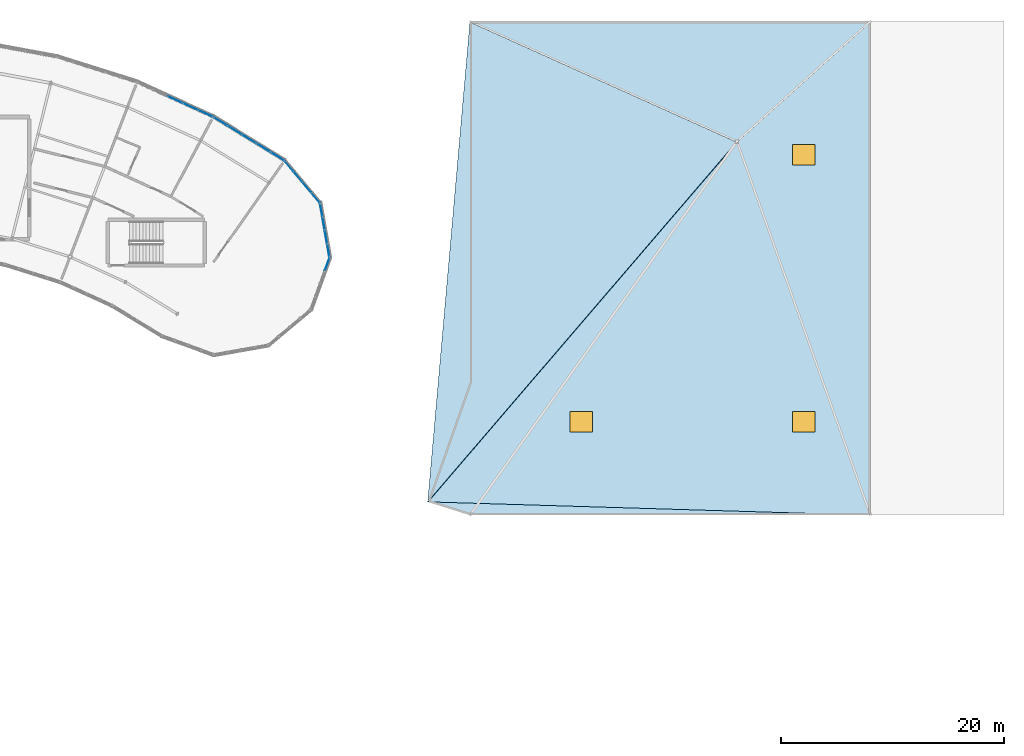
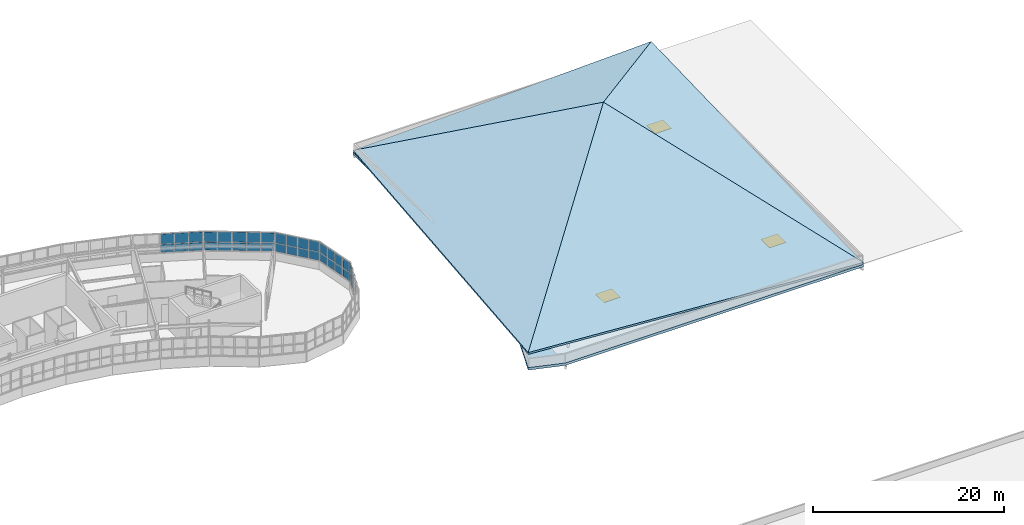
# One storey, part 55 of 79: 34 plates, 5 slabs, 3 windows, 3 openings, 5 elements without a shape of their own.
"""IFC4 building model written with IfcOpenShell, lengths in metres."""

from ifc_helpers import new_model, si_unit, direction, frame, origin, origin_2d, place, context, subcontext, project, spatial, polyline, rectangle, outline, extrude, material, layer, layer_set, type_object, element, fill, aggregate, save


model = new_model("IFC4")

# Units and contexts
model_context = context("Model", 3, precision=1e-05, world=origin(), true_north=direction((0.0, 1.0)))
body_context = subcontext(model_context, "Body", "Model", "MODEL_VIEW")
ifc_project = project(units=[si_unit("LENGTHUNIT", "METRE"), si_unit("AREAUNIT", "SQUARE_METRE"), si_unit("VOLUMEUNIT", "CUBIC_METRE"), si_unit("PLANEANGLEUNIT", "RADIAN"), si_unit("MASSUNIT", "GRAM", prefix="KILO")], contexts=[model_context])

# Site, building, storey
site_placement = place(None, origin())
site = spatial("IfcSite", under=ifc_project, at=site_placement, CompositionType="ELEMENT")
building_placement = place(site_placement, origin())
building = spatial("IfcBuilding", under=site, at=building_placement, Name="Tarnwether General Hospital", CompositionType="ELEMENT")
storey_placement = place(building_placement, frame((0.0, 0.0, 18.300048828125)))
storey = spatial("IfcBuildingStorey", under=building, at=storey_placement, Name="L04", CompositionType="ELEMENT", Elevation=18.300048828125)

# Curtain wall, plates
ifc_material_1 = material(Name="Anodised aluminium", Category="aluminium")
ifc_layer_1 = layer(ifc_material_1, 0.159912109375)
ifc_layer_set_1 = layer_set([ifc_layer_1], Name="Anodised aluminium")
curtain_wall_type_1 = type_object("IfcCurtainWallType", Name="CW-04", PredefinedType="NOTDEFINED", material=ifc_layer_set_1)
curtain_wall_1_placement = place(storey_placement, origin())
curtain_wall_1 = element("IfcCurtainWall", 1, at=curtain_wall_1_placement, inside=storey, type_object=curtain_wall_type_1, Name="Curtain Wall CWG-L04-1305_1097-0052", PredefinedType="NOTDEFINED")
ifc_material_2 = material(Name="Double glazed low-E glass", Category="glass")
ifc_layer_2 = layer(ifc_material_2, 0.028076171875)
ifc_layer_set_2 = layer_set([ifc_layer_2], Name="Double glazed low-E glass")
plate_type_1 = type_object("IfcPlateType", Name="PT-CWP1", PredefinedType="CURTAIN_PANEL", material=ifc_layer_set_2)
plate_1_placement = place(storey_placement, frame((130.63818359375, 109.021484375, 1.1298828125), z_axis=(0.0, 0.0, 1.0), x_axis=(0.173463890135, -0.984840230098, 0.0)))
plate_1 = element("IfcPlate", 2, at=plate_1_placement, type_object=plate_type_1, Name="CW-04 panel 1.1", PredefinedType="CURTAIN_PANEL", context=body_context, shape_type="SweptSolid", body=[
    extrude(rectangle(XDim=1.122314453125, YDim=0.028076171875, at=origin_2d()), origin(), (0.0, 0.0, 1.0), 1.00048828125),
])
plate_2_placement = place(storey_placement, frame((130.63818359375, 109.021484375, 2.21044921875), z_axis=(0.0, 0.0, 1.0), x_axis=(0.173463890135, -0.984840230098, 0.0)))
plate_2 = element("IfcPlate", 3, at=plate_2_placement, type_object=plate_type_1, Name="CW-04 panel 1.2", PredefinedType="CURTAIN_PANEL", context=body_context, shape_type="SweptSolid", body=[
    extrude(rectangle(XDim=1.122314453125, YDim=0.028076171875, at=origin_2d()), origin(), (0.0, 0.0, 1.0), 1.24951171875),
])
plate_3_placement = place(storey_placement, frame((130.850341796875, 107.81787109375, 1.1298828125), z_axis=(0.0, 0.0, 1.0), x_axis=(0.173463890135, -0.984840230098, 0.0)))
plate_3 = element("IfcPlate", 4, at=plate_3_placement, type_object=plate_type_1, Name="CW-04 panel 2.1", PredefinedType="CURTAIN_PANEL", context=body_context, shape_type="SweptSolid", body=[
    extrude(rectangle(XDim=1.162353515625, YDim=0.028076171875, at=origin_2d()), origin(), (0.0, 0.0, 1.0), 1.00048828125),
])
plate_4_placement = place(storey_placement, frame((130.850341796875, 107.81787109375, 2.21044921875), z_axis=(0.0, 0.0, 1.0), x_axis=(0.173463890135, -0.984840230098, 0.0)))
plate_4 = element("IfcPlate", 5, at=plate_4_placement, type_object=plate_type_1, Name="CW-04 panel 2.2", PredefinedType="CURTAIN_PANEL", context=body_context, shape_type="SweptSolid", body=[
    extrude(rectangle(XDim=1.162353515625, YDim=0.028076171875, at=origin_2d()), origin(), (0.0, 0.0, 1.0), 1.24951171875),
])
plate_5_placement = place(storey_placement, frame((131.065673828125, 106.59423828125, 1.1298828125), z_axis=(0.0, 0.0, 1.0), x_axis=(0.173463890135, -0.984840230098, 0.0)))
plate_5 = element("IfcPlate", 6, at=plate_5_placement, type_object=plate_type_1, Name="CW-04 panel 3.1", PredefinedType="CURTAIN_PANEL", context=body_context, shape_type="SweptSolid", body=[
    extrude(rectangle(XDim=1.162353515625, YDim=0.028076171875, at=origin_2d()), origin(), (0.0, 0.0, 1.0), 1.00048828125),
])
plate_6_placement = place(storey_placement, frame((131.065673828125, 106.59423828125, 2.21044921875), z_axis=(0.0, 0.0, 1.0), x_axis=(0.173463890135, -0.984840230098, 0.0)))
plate_6 = element("IfcPlate", 7, at=plate_6_placement, type_object=plate_type_1, Name="CW-04 panel 3.2", PredefinedType="CURTAIN_PANEL", context=body_context, shape_type="SweptSolid", body=[
    extrude(rectangle(XDim=1.162353515625, YDim=0.028076171875, at=origin_2d()), origin(), (0.0, 0.0, 1.0), 1.24951171875),
])
plate_7_placement = place(storey_placement, frame((131.27783203125, 105.390380859375, 1.1298828125), z_axis=(0.0, 0.0, 1.0), x_axis=(0.173463890135, -0.984840230098, 0.0)))
plate_7 = element("IfcPlate", 8, at=plate_7_placement, type_object=plate_type_1, Name="CW-04 panel 4.1", PredefinedType="CURTAIN_PANEL", context=body_context, shape_type="SweptSolid", body=[
    extrude(rectangle(XDim=1.122314453125, YDim=0.028076171875, at=origin_2d()), origin(), (0.0, 0.0, 1.0), 1.00048828125),
])
plate_8_placement = place(storey_placement, frame((131.27783203125, 105.390380859375, 2.21044921875), z_axis=(0.0, 0.0, 1.0), x_axis=(0.173463890135, -0.984840230098, 0.0)))
plate_8 = element("IfcPlate", 9, at=plate_8_placement, type_object=plate_type_1, Name="CW-04 panel 4.2", PredefinedType="CURTAIN_PANEL", context=body_context, shape_type="SweptSolid", body=[
    extrude(rectangle(XDim=1.122314453125, YDim=0.028076171875, at=origin_2d()), origin(), (0.0, 0.0, 1.0), 1.24951171875),
])
aggregate(curtain_wall_1, [plate_1, plate_2, plate_3, plate_4, plate_5, plate_6, plate_7, plate_8])

curtain_wall_2_placement = place(storey_placement, origin())
curtain_wall_2 = element("IfcCurtainWall", 10, at=curtain_wall_2_placement, inside=storey, type_object=curtain_wall_type_1, Name="Curtain Wall CWG-L04-1273_1135-0053", PredefinedType="NOTDEFINED")
plate_9_placement = place(storey_placement, frame((127.740966796875, 112.97265625, 1.10986328125), z_axis=(0.0, 0.0, 1.0), x_axis=(0.64285227611, -0.765990176896, 0.0)))
plate_9 = element("IfcPlate", 11, at=plate_9_placement, type_object=plate_type_1, Name="CW-04 panel 1.1", PredefinedType="CURTAIN_PANEL", context=body_context, shape_type="SweptSolid", body=[
    extrude(rectangle(XDim=1.152587890625, YDim=0.028076171875, at=origin_2d()), origin(), (0.0, 0.0, 1.0), 1.030517578125),
])
plate_10_placement = place(storey_placement, frame((127.740966796875, 112.97265625, 2.2001953125), z_axis=(0.0, 0.0, 1.0), x_axis=(0.64285227611, -0.765990176896, 0.0)))
plate_10 = element("IfcPlate", 12, at=plate_10_placement, type_object=plate_type_1, Name="CW-04 panel 1.2", PredefinedType="CURTAIN_PANEL", context=body_context, shape_type="SweptSolid", body=[
    extrude(rectangle(XDim=1.152587890625, YDim=0.028076171875, at=origin_2d()), origin(), (0.0, 0.0, 1.0), 1.279541015625),
])
plate_11_placement = place(storey_placement, frame((128.530029296875, 112.032470703125, 1.10986328125), z_axis=(0.0, 0.0, 1.0), x_axis=(0.64285227611, -0.765990176896, 0.0)))
plate_11 = element("IfcPlate", 13, at=plate_11_placement, type_object=plate_type_1, Name="CW-04 panel 2.1", PredefinedType="CURTAIN_PANEL", context=body_context, shape_type="SweptSolid", body=[
    extrude(rectangle(XDim=1.1826171875, YDim=0.028076171875, at=origin_2d()), origin(), (0.0, 0.0, 1.0), 1.030517578125),
])
plate_12_placement = place(storey_placement, frame((128.530029296875, 112.032470703125, 2.2001953125), z_axis=(0.0, 0.0, 1.0), x_axis=(0.64285227611, -0.765990176896, 0.0)))
plate_12 = element("IfcPlate", 14, at=plate_12_placement, type_object=plate_type_1, Name="CW-04 panel 2.2", PredefinedType="CURTAIN_PANEL", context=body_context, shape_type="SweptSolid", body=[
    extrude(rectangle(XDim=1.1826171875, YDim=0.028076171875, at=origin_2d()), origin(), (0.0, 0.0, 1.0), 1.279541015625),
])
plate_13_placement = place(storey_placement, frame((129.328857421875, 111.08056640625, 1.10986328125), z_axis=(0.0, 0.0, 1.0), x_axis=(0.64285227611, -0.765990176896, 0.0)))
plate_13 = element("IfcPlate", 15, at=plate_13_placement, type_object=plate_type_1, Name="CW-04 panel 3.1", PredefinedType="CURTAIN_PANEL", context=body_context, shape_type="SweptSolid", body=[
    extrude(rectangle(XDim=1.1826171875, YDim=0.028076171875, at=origin_2d()), origin(), (0.0, 0.0, 1.0), 1.030517578125),
])
plate_14_placement = place(storey_placement, frame((129.328857421875, 111.08056640625, 2.2001953125), z_axis=(0.0, 0.0, 1.0), x_axis=(0.64285227611, -0.765990176896, 0.0)))
plate_14 = element("IfcPlate", 16, at=plate_14_placement, type_object=plate_type_1, Name="CW-04 panel 3.2", PredefinedType="CURTAIN_PANEL", context=body_context, shape_type="SweptSolid", body=[
    extrude(rectangle(XDim=1.1826171875, YDim=0.028076171875, at=origin_2d()), origin(), (0.0, 0.0, 1.0), 1.279541015625),
])
plate_15_placement = place(storey_placement, frame((130.117919921875, 110.140380859375, 1.10986328125), z_axis=(0.0, 0.0, 1.0), x_axis=(0.64285227611, -0.765990176896, 0.0)))
plate_15 = element("IfcPlate", 17, at=plate_15_placement, type_object=plate_type_1, Name="CW-04 panel 4.1", PredefinedType="CURTAIN_PANEL", context=body_context, shape_type="SweptSolid", body=[
    extrude(rectangle(XDim=1.152587890625, YDim=0.028076171875, at=origin_2d()), origin(), (0.0, 0.0, 1.0), 1.030517578125),
])
plate_16_placement = place(storey_placement, frame((130.117919921875, 110.140380859375, 2.2001953125), z_axis=(0.0, 0.0, 1.0), x_axis=(0.64285227611, -0.765990176896, 0.0)))
plate_16 = element("IfcPlate", 18, at=plate_16_placement, type_object=plate_type_1, Name="CW-04 panel 4.2", PredefinedType="CURTAIN_PANEL", context=body_context, shape_type="SweptSolid", body=[
    extrude(rectangle(XDim=1.152587890625, YDim=0.028076171875, at=origin_2d()), origin(), (0.0, 0.0, 1.0), 1.279541015625),
])
aggregate(curtain_wall_2, [plate_9, plate_10, plate_11, plate_12, plate_13, plate_14, plate_15, plate_16])

ifc_material_3 = material(Name="Anodised aluminium", Category="aluminium")
ifc_layer_3 = layer(ifc_material_3, 0.159912109375)
ifc_layer_set_3 = layer_set([ifc_layer_3], Name="Anodised aluminium")
curtain_wall_type_2 = type_object("IfcCurtainWallType", Name="CW-02", PredefinedType="NOTDEFINED", material=ifc_layer_set_3)
curtain_wall_3_placement = place(storey_placement, origin())
curtain_wall_3 = element("IfcCurtainWall", 19, at=curtain_wall_3_placement, inside=storey, type_object=curtain_wall_type_2, Name="Curtain Wall CWG-L04-1141_1205-0055", PredefinedType="NOTDEFINED")
plate_17_placement = place(storey_placement, frame((117.4970703125, 118.949462890625, 1.114990234375), z_axis=(0.0, 0.0, 1.0), x_axis=(0.909960793886, -0.414694289316, 0.0)))
plate_17 = element("IfcPlate", 20, at=plate_17_placement, type_object=plate_type_1, Name="CW-02 panel 3.1", PredefinedType="CURTAIN_PANEL", context=body_context, shape_type="SweptSolid", body=[
    extrude(rectangle(XDim=1.439208984375, YDim=0.028076171875, at=origin_2d()), origin(), (0.0, 0.0, 1.0), 1.02294921875),
])
plate_18_placement = place(storey_placement, frame((117.4970703125, 118.949462890625, 2.202880859375), z_axis=(0.0, 0.0, 1.0), x_axis=(0.909960793886, -0.414694289316, 0.0)))
plate_18 = element("IfcPlate", 21, at=plate_18_placement, type_object=plate_type_1, Name="CW-02 panel 3.2", PredefinedType="CURTAIN_PANEL", context=body_context, shape_type="SweptSolid", body=[
    extrude(rectangle(XDim=1.439208984375, YDim=0.028076171875, at=origin_2d()), origin(), (0.0, 0.0, 1.0), 1.27197265625),
])
plate_19_placement = place(storey_placement, frame((118.86572265625, 118.32568359375, 1.114990234375), z_axis=(0.0, 0.0, 1.0), x_axis=(0.909960793886, -0.414694289316, 0.0)))
plate_19 = element("IfcPlate", 22, at=plate_19_placement, type_object=plate_type_1, Name="CW-02 panel 4.1", PredefinedType="CURTAIN_PANEL", context=body_context, shape_type="SweptSolid", body=[
    extrude(rectangle(XDim=1.439208984375, YDim=0.028076171875, at=origin_2d()), origin(), (0.0, 0.0, 1.0), 1.02294921875),
])
plate_20_placement = place(storey_placement, frame((118.86572265625, 118.32568359375, 2.202880859375), z_axis=(0.0, 0.0, 1.0), x_axis=(0.909960793886, -0.414694289316, 0.0)))
plate_20 = element("IfcPlate", 23, at=plate_20_placement, type_object=plate_type_1, Name="CW-02 panel 4.2", PredefinedType="CURTAIN_PANEL", context=body_context, shape_type="SweptSolid", body=[
    extrude(rectangle(XDim=1.439208984375, YDim=0.028076171875, at=origin_2d()), origin(), (0.0, 0.0, 1.0), 1.27197265625),
])
plate_21_placement = place(storey_placement, frame((120.2197265625, 117.708740234375, 1.114990234375), z_axis=(0.0, 0.0, 1.0), x_axis=(0.909960793886, -0.414694289316, 0.0)))
plate_21 = element("IfcPlate", 24, at=plate_21_placement, type_object=plate_type_1, Name="CW-02 panel 5.1", PredefinedType="CURTAIN_PANEL", context=body_context, shape_type="SweptSolid", body=[
    extrude(rectangle(XDim=1.40673828125, YDim=0.028076171875, at=origin_2d()), origin(), (0.0, 0.0, 1.0), 1.02294921875),
])
plate_22_placement = place(storey_placement, frame((120.2197265625, 117.708740234375, 2.202880859375), z_axis=(0.0, 0.0, 1.0), x_axis=(0.909960793886, -0.414694289316, 0.0)))
plate_22 = element("IfcPlate", 25, at=plate_22_placement, type_object=plate_type_1, Name="CW-02 panel 5.2", PredefinedType="CURTAIN_PANEL", context=body_context, shape_type="SweptSolid", body=[
    extrude(rectangle(XDim=1.40673828125, YDim=0.028076171875, at=origin_2d()), origin(), (0.0, 0.0, 1.0), 1.27197265625),
])
aggregate(curtain_wall_3, [plate_17, plate_18, plate_19, plate_20, plate_21, plate_22])

curtain_wall_4_placement = place(storey_placement, origin())
curtain_wall_4 = element("IfcCurtainWall", 26, at=curtain_wall_4_placement, inside=storey, type_object=curtain_wall_type_1, Name="Curtain Wall CWG-L04-1314_1048-0051", PredefinedType="NOTDEFINED")
ifc_material_4 = material(Name="Double glazed low-E glass", Category="glass")
ifc_layer_4 = layer(ifc_material_4, 0.035888671875)
ifc_layer_set_4 = layer_set([ifc_layer_4], Name="Double glazed low-E glass")
plate_type_2 = type_object("IfcPlateType", Name="PT-CWP2", PredefinedType="CURTAIN_PANEL", material=ifc_layer_set_4)
plate_23_placement = place(storey_placement, frame((131.171142578125, 104.16015625, 1.114990234375), z_axis=(0.0, 0.0, 1.0), x_axis=(-0.341953136469, -0.939717006582, 0.0)))
plate_23 = element("IfcPlate", 27, at=plate_23_placement, type_object=plate_type_2, Name="CW-04 panel 1.1", PredefinedType="CURTAIN_PANEL", context=body_context, shape_type="SweptSolid", body=[
    extrude(rectangle(XDim=1.14453125, YDim=0.035888671875, at=origin_2d()), origin(), (0.0, 0.0, 1.0), 1.02294921875),
])
plate_24_placement = place(storey_placement, frame((131.171142578125, 104.16015625, 2.202880859375), z_axis=(0.0, 0.0, 1.0), x_axis=(-0.341953136469, -0.939717006582, 0.0)))
plate_24 = element("IfcPlate", 28, at=plate_24_placement, type_object=plate_type_2, Name="CW-04 panel 1.2", PredefinedType="CURTAIN_PANEL", context=body_context, shape_type="SweptSolid", body=[
    extrude(rectangle(XDim=1.14453125, YDim=0.035888671875, at=origin_2d()), origin(), (0.0, 0.0, 1.0), 1.27197265625),
])
aggregate(curtain_wall_4, [plate_23, plate_24])

curtain_wall_5_placement = place(storey_placement, origin())
curtain_wall_5 = element("IfcCurtainWall", 29, at=curtain_wall_5_placement, inside=storey, type_object=curtain_wall_type_2, Name="Curtain Wall CWG-L04-1209_1174-0054", PredefinedType="NOTDEFINED")
plate_25_placement = place(storey_placement, frame((121.5751953125, 116.98779296875, 1.1201171875), z_axis=(0.0, 0.0, 1.0), x_axis=(0.852633734977, -0.522509056361, 0.0)))
plate_25 = element("IfcPlate", 30, at=plate_25_placement, type_object=plate_type_2, Name="CW-02 panel 1.1", PredefinedType="CURTAIN_PANEL", context=body_context, shape_type="SweptSolid", body=[
    extrude(rectangle(XDim=1.399169921875, YDim=0.035888671875, at=origin_2d()), origin(), (0.0, 0.0, 1.0), 1.015380859375),
])
plate_26_placement = place(storey_placement, frame((121.5751953125, 116.98779296875, 2.20556640625), z_axis=(0.0, 0.0, 1.0), x_axis=(0.852633734977, -0.522509056361, 0.0)))
plate_26 = element("IfcPlate", 31, at=plate_26_placement, type_object=plate_type_2, Name="CW-02 panel 1.2", PredefinedType="CURTAIN_PANEL", context=body_context, shape_type="SweptSolid", body=[
    extrude(rectangle(XDim=1.399169921875, YDim=0.035888671875, at=origin_2d()), origin(), (0.0, 0.0, 1.0), 1.264404296875),
])
plate_27_placement = place(storey_placement, frame((122.843017578125, 116.2109375, 1.1201171875), z_axis=(0.0, 0.0, 1.0), x_axis=(0.852633734977, -0.522509056361, 0.0)))
plate_27 = element("IfcPlate", 32, at=plate_27_placement, type_object=plate_type_2, Name="CW-02 panel 2.1", PredefinedType="CURTAIN_PANEL", context=body_context, shape_type="SweptSolid", body=[
    extrude(rectangle(XDim=1.434326171875, YDim=0.035888671875, at=origin_2d()), origin(), (0.0, 0.0, 1.0), 1.015380859375),
])
plate_28_placement = place(storey_placement, frame((122.843017578125, 116.2109375, 2.20556640625), z_axis=(0.0, 0.0, 1.0), x_axis=(0.852633734977, -0.522509056361, 0.0)))
plate_28 = element("IfcPlate", 33, at=plate_28_placement, type_object=plate_type_2, Name="CW-02 panel 2.2", PredefinedType="CURTAIN_PANEL", context=body_context, shape_type="SweptSolid", body=[
    extrude(rectangle(XDim=1.434326171875, YDim=0.035888671875, at=origin_2d()), origin(), (0.0, 0.0, 1.0), 1.264404296875),
])
plate_29_placement = place(storey_placement, frame((124.12548828125, 115.425048828125, 1.1201171875), z_axis=(0.0, 0.0, 1.0), x_axis=(0.852633734977, -0.522509056361, 0.0)))
plate_29 = element("IfcPlate", 34, at=plate_29_placement, type_object=plate_type_2, Name="CW-02 panel 3.1", PredefinedType="CURTAIN_PANEL", context=body_context, shape_type="SweptSolid", body=[
    extrude(rectangle(XDim=1.434326171875, YDim=0.035888671875, at=origin_2d()), origin(), (0.0, 0.0, 1.0), 1.015380859375),
])
plate_30_placement = place(storey_placement, frame((124.12548828125, 115.425048828125, 2.20556640625), z_axis=(0.0, 0.0, 1.0), x_axis=(0.852633734977, -0.522509056361, 0.0)))
plate_30 = element("IfcPlate", 35, at=plate_30_placement, type_object=plate_type_2, Name="CW-02 panel 3.2", PredefinedType="CURTAIN_PANEL", context=body_context, shape_type="SweptSolid", body=[
    extrude(rectangle(XDim=1.434326171875, YDim=0.035888671875, at=origin_2d()), origin(), (0.0, 0.0, 1.0), 1.264404296875),
])
plate_31_placement = place(storey_placement, frame((125.408203125, 114.638916015625, 1.1201171875), z_axis=(0.0, 0.0, 1.0), x_axis=(0.852633734977, -0.522509056361, 0.0)))
plate_31 = element("IfcPlate", 36, at=plate_31_placement, type_object=plate_type_2, Name="CW-02 panel 4.1", PredefinedType="CURTAIN_PANEL", context=body_context, shape_type="SweptSolid", body=[
    extrude(rectangle(XDim=1.434326171875, YDim=0.035888671875, at=origin_2d()), origin(), (0.0, 0.0, 1.0), 1.015380859375),
])
plate_32_placement = place(storey_placement, frame((125.408203125, 114.638916015625, 2.20556640625), z_axis=(0.0, 0.0, 1.0), x_axis=(0.852633734977, -0.522509056361, 0.0)))
plate_32 = element("IfcPlate", 37, at=plate_32_placement, type_object=plate_type_2, Name="CW-02 panel 4.2", PredefinedType="CURTAIN_PANEL", context=body_context, shape_type="SweptSolid", body=[
    extrude(rectangle(XDim=1.434326171875, YDim=0.035888671875, at=origin_2d()), origin(), (0.0, 0.0, 1.0), 1.264404296875),
])
plate_33_placement = place(storey_placement, frame((126.67578125, 113.862060546875, 1.1201171875), z_axis=(0.0, 0.0, 1.0), x_axis=(0.852633734977, -0.522509056361, 0.0)))
plate_33 = element("IfcPlate", 38, at=plate_33_placement, type_object=plate_type_2, Name="CW-02 panel 5.1", PredefinedType="CURTAIN_PANEL", context=body_context, shape_type="SweptSolid", body=[
    extrude(rectangle(XDim=1.399169921875, YDim=0.035888671875, at=origin_2d()), origin(), (0.0, 0.0, 1.0), 1.015380859375),
])
plate_34_placement = place(storey_placement, frame((126.67578125, 113.862060546875, 2.20556640625), z_axis=(0.0, 0.0, 1.0), x_axis=(0.852633734977, -0.522509056361, 0.0)))
plate_34 = element("IfcPlate", 39, at=plate_34_placement, type_object=plate_type_2, Name="CW-02 panel 5.2", PredefinedType="CURTAIN_PANEL", context=body_context, shape_type="SweptSolid", body=[
    extrude(rectangle(XDim=1.399169921875, YDim=0.035888671875, at=origin_2d()), origin(), (0.0, 0.0, 1.0), 1.264404296875),
])
aggregate(curtain_wall_5, [plate_25, plate_26, plate_27, plate_28, plate_29, plate_30, plate_31, plate_32, plate_33, plate_34])

# Slab, openings, windows
ifc_material_5 = material(Name="Concrete 40 MPa", Category="concrete")
ifc_layer_5 = layer(ifc_material_5, 0.330078125)
ifc_layer_set_5 = layer_set([ifc_layer_5], Name="Concrete 40 MPa")
slab_type_1 = type_object("IfcSlabType", Name="SL-RF200", PredefinedType="ROOF", material=ifc_layer_set_5)
slab_1_placement = place(storey_placement, origin())
slab_1 = element("IfcSlab", 40, at=slab_1_placement, inside=storey, type_object=slab_type_1, Name="L04 Outpatient North Shard Roof Deck SL-L04-V6NRF", PredefinedType="ROOF", context=body_context, shape_type="SweptSolid", body=[
    extrude(outline(polyline([(140.199951171875, 82.800048828125), (144.0, 93.60009765625), (144.0, 126.0), (180.0, 126.0), (180.0, 81.60009765625), (144.0, 81.60009765625), (140.199951171875, 82.800048828125)])), origin(), (0.0, 0.0, 1.0), 0.329833984375),
])
opening_1_placement = place(slab_1_placement, frame((154.0, 90.0, 0.0)))
opening_1 = element("IfcOpeningElement", 41, at=opening_1_placement, cuts=slab_1, Name="Opening SK-03", PredefinedType="OPENING", context=body_context, shape_type="SweptSolid", body=[
    extrude(rectangle(XDim=2.0, YDim=1.800048828125, at=origin_2d()), origin(), (0.0, 0.0, 1.0), 0.329833984375),
])
opening_2_placement = place(slab_1_placement, frame((174.0, 90.0, 0.0)))
opening_2 = element("IfcOpeningElement", 42, at=opening_2_placement, cuts=slab_1, Name="Opening SK-03", PredefinedType="OPENING", context=body_context, shape_type="SweptSolid", body=[
    extrude(rectangle(XDim=2.0, YDim=1.800048828125, at=origin_2d()), origin(), (0.0, 0.0, 1.0), 0.329833984375),
])
opening_3_placement = place(slab_1_placement, frame((174.0, 114.0, 0.0)))
opening_3 = element("IfcOpeningElement", 43, at=opening_3_placement, cuts=slab_1, Name="Opening SK-03", PredefinedType="OPENING", context=body_context, shape_type="SweptSolid", body=[
    extrude(rectangle(XDim=2.0, YDim=1.800048828125, at=origin_2d()), origin(), (0.0, 0.0, 1.0), 0.329833984375),
])
ifc_material_6 = material(Name="Double glazed low-E glass", Category="glass")
window_type = type_object("IfcWindowType", Name="WN-SK3", PartitioningType="SINGLE_PANEL", PredefinedType="SKYLIGHT", material=ifc_material_6)
window_1_placement = place(opening_1_placement, frame((0.0, 0.0, 0.27978515625)))
window_1 = element("IfcWindow", 44, at=window_1_placement, inside=storey, type_object=window_type, Name="Flat Roof Skylight 007", OverallHeight=1.800048828125, OverallWidth=2.0, PartitioningType="SINGLE_PANEL", PredefinedType="SKYLIGHT", context=body_context, shape_type="SweptSolid", body=[
    extrude(rectangle(XDim=2.0, YDim=1.800048828125, at=origin_2d()), origin(), (0.0, 0.0, 1.0), 0.050048828125),
])
fill(opening_1, window_1)
window_2_placement = place(opening_2_placement, frame((0.0, 0.0, 0.27978515625)))
window_2 = element("IfcWindow", 45, at=window_2_placement, inside=storey, type_object=window_type, Name="Flat Roof Skylight 008", OverallHeight=1.800048828125, OverallWidth=2.0, PartitioningType="SINGLE_PANEL", PredefinedType="SKYLIGHT", context=body_context, shape_type="SweptSolid", body=[
    extrude(rectangle(XDim=2.0, YDim=1.800048828125, at=origin_2d()), origin(), (0.0, 0.0, 1.0), 0.050048828125),
])
fill(opening_2, window_2)
window_3_placement = place(opening_3_placement, frame((0.0, 0.0, 0.27978515625)))
window_3 = element("IfcWindow", 46, at=window_3_placement, inside=storey, type_object=window_type, Name="Flat Roof Skylight 009", OverallHeight=1.800048828125, OverallWidth=2.0, PartitioningType="SINGLE_PANEL", PredefinedType="SKYLIGHT", context=body_context, shape_type="SweptSolid", body=[
    extrude(rectangle(XDim=2.0, YDim=1.800048828125, at=origin_2d()), origin(), (0.0, 0.0, 1.0), 0.050048828125),
])
fill(opening_3, window_3)

# Slabs
ifc_material_7 = material(Name="Concrete 40 MPa", Category="concrete")
ifc_layer_6 = layer(ifc_material_7, 0.260009765625)
ifc_layer_set_6 = layer_set([ifc_layer_6], Name="Concrete 40 MPa")
slab_type_2 = type_object("IfcSlabType", Name="SL-RF260", PredefinedType="ROOF", material=ifc_layer_set_6)
slab_2_placement = place(storey_placement, frame((140.199951171875, 82.800048828125, 2.25), z_axis=(0.038994759993, -0.113124740846, 0.992815290828), x_axis=(0.998636129626, -0.030108369947, -0.042654034576)))
element("IfcSlab", 47, at=slab_2_placement, inside=storey, type_object=slab_type_2, Name="Outpatient North Origami Roof Shard South", PredefinedType="ROOF", context=body_context, shape_type="SweptSolid", body=[
    extrude(outline(polyline([(0.0, 0.0), (39.854405070490984, -1.3877787807814457e-16), (26.675730677364957, 33.432933132796904), (0.0, 0.0)])), origin(), (0.0, 0.0, -1.0), 0.260009765625),
])
slab_3_placement = place(storey_placement, frame((180.0, 81.60009765625, 0.550048828125), z_axis=(0.266257859842, -0.028206088986, 0.963489059936), x_axis=(0.0, 0.999571764041, 0.029262408154)))
element("IfcSlab", 48, at=slab_3_placement, inside=storey, type_object=slab_type_2, Name="Outpatient North Origami Roof Shard East", PredefinedType="ROOF", context=body_context, shape_type="SweptSolid", body=[
    extrude(outline(polyline([(0.0, 0.0), (44.418924124298464, 0.0), (33.71128748989825, 12.449400483378088), (0.0, 0.0)])), origin(), (0.0, 0.0, -1.0), 0.260009765625),
])
slab_4_placement = place(storey_placement, frame((180.0, 126.0, 1.849853515625), z_axis=(-0.034388549787, 0.302775185589, 0.952441396956), x_axis=(-0.999348826321, 0.0, -0.036082174692)))
element("IfcSlab", 49, at=slab_4_placement, inside=storey, type_object=slab_type_2, Name="Outpatient North Origami Roof Shard North", PredefinedType="ROOF", context=body_context, shape_type="SweptSolid", body=[
    extrude(outline(polyline([(0.0, 0.0), (36.023457527361906, 0.0), (11.88393939177917, 11.33194772412949), (0.0, 0.0)])), origin(), (0.0, 0.0, -1.0), 0.260009765625),
])
slab_5_placement = place(storey_placement, frame((144.0, 126.0, 0.550048828125), z_axis=(-0.15325328272, 0.052312189587, 0.986801330642), x_axis=(-0.087558589619, -0.995388998224, 0.039169319596)))
element("IfcSlab", 50, at=slab_5_placement, inside=storey, type_object=slab_type_2, Name="Outpatient North Origami Roof Shard West", PredefinedType="ROOF", context=body_context, shape_type="SweptSolid", body=[
    extrude(outline(polyline([(0.0, 0.0), (43.40006896694149, 2.220446049250313e-16), (8.817264056946561, 25.167145837194358), (0.0, 0.0)])), origin(), (0.0, 0.0, -1.0), 0.260009765625),
])

save(model, "model.ifc")
